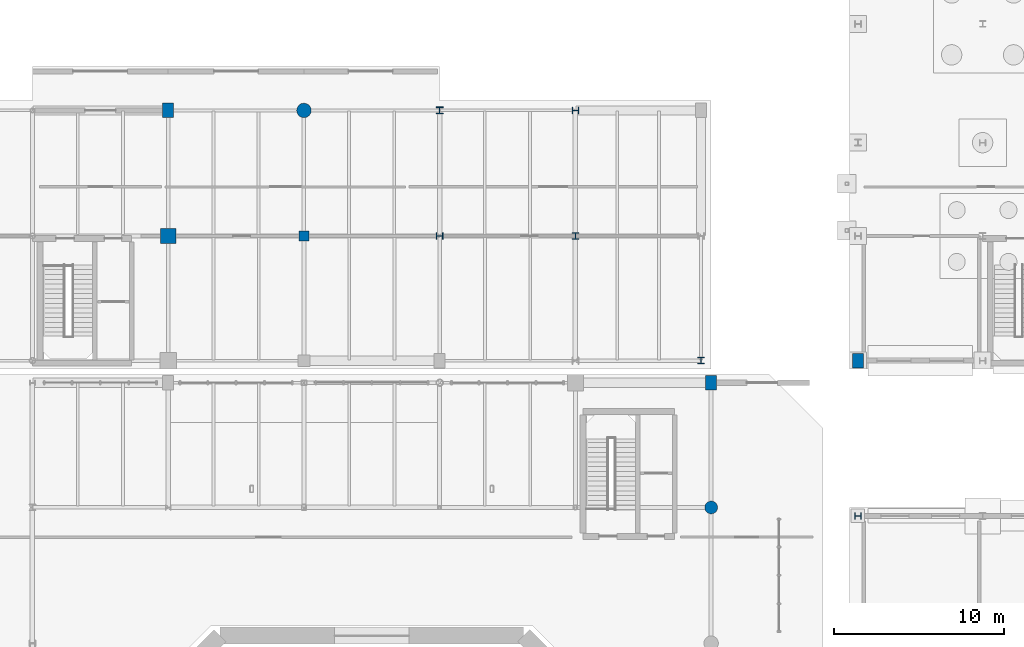
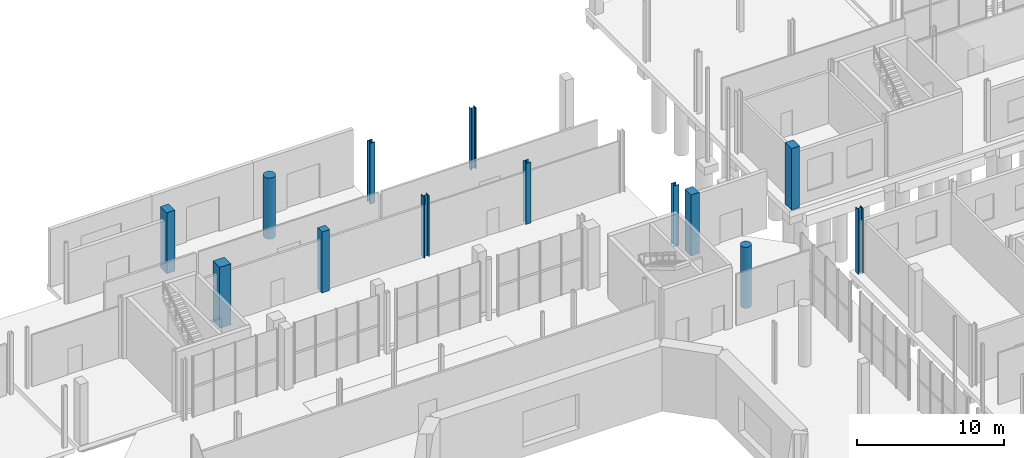
# One storey, part 23 of 87: 13 columns.
"""IFC4 building model written with IfcOpenShell, lengths in metres."""

from ifc_helpers import new_model, si_unit, direction, frame, origin, origin_2d, place, context, subcontext, project, spatial, rectangle, circle, i_section, extrude, material, material_profile, profile_set, type_object, element, save


model = new_model("IFC4")

# Units and contexts
model_context = context("Model", 3, precision=1e-05, world=origin(), true_north=direction((0.0, 1.0)))
body_context = subcontext(model_context, "Body", "Model", "MODEL_VIEW")
ifc_project = project(units=[si_unit("LENGTHUNIT", "METRE"), si_unit("AREAUNIT", "SQUARE_METRE"), si_unit("VOLUMEUNIT", "CUBIC_METRE"), si_unit("PLANEANGLEUNIT", "RADIAN"), si_unit("MASSUNIT", "GRAM", prefix="KILO")], contexts=[model_context])

# Site, building, storey
site_placement = place(None, origin())
site = spatial("IfcSite", under=ifc_project, at=site_placement, CompositionType="ELEMENT")
building_placement = place(site_placement, origin())
building = spatial("IfcBuilding", under=site, at=building_placement, Name="Brisemont Oceanarium", CompositionType="ELEMENT")
storey_placement = place(building_placement, origin())
storey = spatial("IfcBuildingStorey", under=building, at=storey_placement, Name="L00", CompositionType="ELEMENT", Elevation=0.0)

# Columns
ifc_material_1 = material(Name="Concrete C35/45", Category="concrete")
ifc_material_profile_1 = material_profile(ifc_material_1, rectangle(XDim=0.60009765625, YDim=0.60009765625, at=origin_2d()), Name="RC-COL-600X600")
ifc_profile_set_1 = profile_set([ifc_material_profile_1], Name="Concrete C35/45")
column_type_1 = type_object("IfcColumnType", Name="COL-RC600", PredefinedType="COLUMN", material=ifc_profile_set_1)
column_1_placement = place(storey_placement, frame((80.0, 88.0, 0.0), z_axis=(0.0, 0.0, 1.0), x_axis=(1.0, 0.0, 0.0)))
element("IfcColumn", 1, at=column_1_placement, inside=storey, type_object=column_type_1, Name="V7E L00 column (3,1)", PredefinedType="COLUMN", context=body_context, shape_type="SweptSolid", body=[
    extrude(rectangle(XDim=0.60009765625, YDim=0.60009765625, at=origin_2d()), origin(), (0.0, 0.0, 1.0), 5.080078125),
])
ifc_material_2 = material(Name="Concrete C40/50", Category="concrete")
ifc_material_profile_2 = material_profile(ifc_material_2, rectangle(XDim=0.89990234375, YDim=0.89990234375, at=origin_2d()), Name="RC-COL-900X900")
ifc_profile_set_2 = profile_set([ifc_material_profile_2], Name="Concrete C40/50")
column_type_2 = type_object("IfcColumnType", Name="COL-RC900", PredefinedType="COLUMN", material=ifc_profile_set_2)
column_2_placement = place(storey_placement, frame((72.0, 88.0, 0.0), z_axis=(0.0, 0.0, 1.0), x_axis=(0.0, 1.0, 0.0)))
element("IfcColumn", 2, at=column_2_placement, inside=storey, type_object=column_type_2, Name="V7E L00 column (2,1)", PredefinedType="COLUMN", context=body_context, shape_type="SweptSolid", body=[
    extrude(rectangle(XDim=0.89990234375, YDim=0.89990234375, at=origin_2d()), origin(), (0.0, 0.0, 1.0), 5.080078125),
])
ifc_material_3 = material(Name="Concrete C40/50", Category="concrete")
ifc_material_profile_3 = material_profile(ifc_material_3, circle(Radius=0.375, at=origin_2d()), Name="RC-COL-D750")
ifc_profile_set_3 = profile_set([ifc_material_profile_3], Name="Concrete C40/50")
column_type_3 = type_object("IfcColumnType", Name="COL-RCD750", PredefinedType="COLUMN", material=ifc_profile_set_3)
column_3_placement = place(storey_placement, frame((104.0, 72.0, 0.0), z_axis=(0.0, 0.0, 1.0), x_axis=(0.0, 1.0, 0.0)))
element("IfcColumn", 3, at=column_3_placement, inside=storey, type_object=column_type_3, Name="V1 L00 column (6,5)", PredefinedType="COLUMN", context=body_context, shape_type="SweptSolid", body=[
    extrude(circle(Radius=0.375, at=origin_2d()), origin(), (0.0, 0.0, 1.0), 5.080078125),
])
ifc_material_4 = material(Name="Concrete C40/50", Category="concrete")
ifc_material_profile_4 = material_profile(ifc_material_4, circle(Radius=0.425048828125, at=origin_2d()), Name="RC-COL-D850")
ifc_profile_set_4 = profile_set([ifc_material_profile_4], Name="Concrete C40/50")
column_type_4 = type_object("IfcColumnType", Name="COL-RCD850", PredefinedType="COLUMN", material=ifc_profile_set_4)
column_4_placement = place(storey_placement, frame((80.0, 95.39990234375, 0.0), z_axis=(0.0, 0.0, 1.0), x_axis=(0.0, 1.0, 0.0)))
element("IfcColumn", 4, at=column_4_placement, inside=storey, type_object=column_type_4, Name="V7E L00 column (3,2)", PredefinedType="COLUMN", context=body_context, shape_type="SweptSolid", body=[
    extrude(circle(Radius=0.425048828125, at=origin_2d()), origin(), (0.0, 0.0, 1.0), 5.080078125),
])
ifc_material_5 = material(Name="Structural Steel ASTM A992 Gr.50", Category="steel")
ifc_material_profile_5 = material_profile(ifc_material_5, i_section(OverallWidth=0.39501953125, OverallDepth=0.3798828125, WebThickness=0.018798828125, FlangeThickness=0.0302734375, FilletRadius=0.014892578125, at=origin_2d()), Name="W14X159")
ifc_profile_set_5 = profile_set([ifc_material_profile_5], Name="Structural Steel ASTM A992 Gr.50")
column_type_5 = type_object("IfcColumnType", Name="COL-W14X159", PredefinedType="COLUMN", material=ifc_profile_set_5)
column_5_placement = place(storey_placement, frame((103.39990234375, 80.64990234375, 0.0), z_axis=(0.0, 0.0, 1.0), x_axis=(1.0, 0.0, 0.0)))
element("IfcColumn", 5, at=column_5_placement, inside=storey, type_object=column_type_5, Name="V7E L00 column (6,0)", PredefinedType="COLUMN", context=body_context, shape_type="SweptSolid", body=[
    extrude(i_section(OverallWidth=0.39501953125, OverallDepth=0.3798828125, WebThickness=0.018798828125, FlangeThickness=0.0302734375, FilletRadius=0.014892578125, at=origin_2d()), origin(), (0.0, 0.0, 1.0), 5.080078125),
])
ifc_material_6 = material(Name="Structural Steel ASTM A992 Gr.50", Category="steel")
ifc_material_profile_6 = material_profile(ifc_material_6, i_section(OverallWidth=0.39892578125, OverallDepth=0.385986328125, WebThickness=0.02099609375, FlangeThickness=0.033203125, FilletRadius=0.014892578125, at=origin_2d()), Name="W14X176")
ifc_profile_set_6 = profile_set([ifc_material_profile_6], Name="Structural Steel ASTM A992 Gr.50")
column_type_6 = type_object("IfcColumnType", Name="COL-W14X176", PredefinedType="COLUMN", material=ifc_profile_set_6)
column_6_placement = place(storey_placement, frame((96.0, 95.39990234375, 0.0), z_axis=(0.0, 0.0, 1.0), x_axis=(0.0, 1.0, 0.0)))
element("IfcColumn", 6, at=column_6_placement, inside=storey, type_object=column_type_6, Name="V7E L00 column (5,2)", PredefinedType="COLUMN", context=body_context, shape_type="SweptSolid", body=[
    extrude(i_section(OverallWidth=0.39892578125, OverallDepth=0.385986328125, WebThickness=0.02099609375, FlangeThickness=0.033203125, FilletRadius=0.014892578125, at=origin_2d()), origin(), (0.0, 0.0, 1.0), 5.080078125),
])
ifc_material_7 = material(Name="Structural Steel ASTM A992 Gr.50", Category="steel")
ifc_material_profile_7 = material_profile(ifc_material_7, i_section(OverallWidth=0.39990234375, OverallDepth=0.39306640625, WebThickness=0.022705078125, FlangeThickness=0.03662109375, FilletRadius=0.014892578125, at=origin_2d()), Name="W14X193")
ifc_profile_set_7 = profile_set([ifc_material_profile_7], Name="Structural Steel ASTM A992 Gr.50")
column_type_7 = type_object("IfcColumnType", Name="COL-W14X193", PredefinedType="COLUMN", material=ifc_profile_set_7)
column_7_placement = place(storey_placement, frame((112.64990234375, 71.5, 0.0), z_axis=(0.0, 0.0, 1.0), x_axis=(0.0, 1.0, 0.0)))
element("IfcColumn", 7, at=column_7_placement, inside=storey, type_object=column_type_7, Name="V5E L00 column (0,5)", PredefinedType="COLUMN", context=body_context, shape_type="SweptSolid", body=[
    extrude(i_section(OverallWidth=0.39990234375, OverallDepth=0.39306640625, WebThickness=0.022705078125, FlangeThickness=0.03662109375, FilletRadius=0.014892578125, at=origin_2d()), origin(), (0.0, 0.0, 1.0), 5.39990234375),
])
column_8_placement = place(storey_placement, frame((96.0, 88.0, 0.0), z_axis=(0.0, 0.0, 1.0), x_axis=(1.0, 0.0, 0.0)))
element("IfcColumn", 8, at=column_8_placement, inside=storey, type_object=column_type_7, Name="V7E L00 column (5,1)", PredefinedType="COLUMN", context=body_context, shape_type="SweptSolid", body=[
    extrude(i_section(OverallWidth=0.39990234375, OverallDepth=0.39306640625, WebThickness=0.022705078125, FlangeThickness=0.03662109375, FilletRadius=0.014892578125, at=origin_2d()), origin(), (0.0, 0.0, 1.0), 5.080078125),
])
ifc_material_8 = material(Name="Structural Steel ASTM A992 Gr.50", Category="steel")
ifc_material_profile_8 = material_profile(ifc_material_8, i_section(OverallWidth=0.404052734375, OverallDepth=0.406982421875, WebThickness=0.027099609375, FlangeThickness=0.043701171875, FilletRadius=0.014892578125, at=origin_2d()), Name="W14X233")
ifc_profile_set_8 = profile_set([ifc_material_profile_8], Name="Structural Steel ASTM A992 Gr.50")
column_type_8 = type_object("IfcColumnType", Name="COL-W14X233", PredefinedType="COLUMN", material=ifc_profile_set_8)
column_9_placement = place(storey_placement, frame((88.0, 95.39990234375, 0.0), z_axis=(0.0, 0.0, 1.0), x_axis=(1.0, 0.0, 0.0)))
element("IfcColumn", 9, at=column_9_placement, inside=storey, type_object=column_type_8, Name="V7E L00 column (4,2)", PredefinedType="COLUMN", context=body_context, shape_type="SweptSolid", body=[
    extrude(i_section(OverallWidth=0.404052734375, OverallDepth=0.406982421875, WebThickness=0.027099609375, FlangeThickness=0.043701171875, FilletRadius=0.014892578125, at=origin_2d()), origin(), (0.0, 0.0, 1.0), 5.080078125),
])
ifc_material_9 = material(Name="Structural Steel ASTM A992 Gr.50", Category="steel")
ifc_material_profile_9 = material_profile(ifc_material_9, i_section(OverallWidth=0.406005859375, OverallDepth=0.416015625, WebThickness=0.02978515625, FlangeThickness=0.048095703125, FilletRadius=0.014892578125, at=origin_2d()), Name="W14X257")
ifc_profile_set_9 = profile_set([ifc_material_profile_9], Name="Structural Steel ASTM A992 Gr.50")
column_type_9 = type_object("IfcColumnType", Name="COL-W14X257", PredefinedType="COLUMN", material=ifc_profile_set_9)
column_10_placement = place(storey_placement, frame((88.0, 88.0, 0.0), z_axis=(0.0, 0.0, 1.0), x_axis=(0.0, 1.0, 0.0)))
element("IfcColumn", 10, at=column_10_placement, inside=storey, type_object=column_type_9, Name="V7E L00 column (4,1)", PredefinedType="COLUMN", context=body_context, shape_type="SweptSolid", body=[
    extrude(i_section(OverallWidth=0.406005859375, OverallDepth=0.416015625, WebThickness=0.02978515625, FlangeThickness=0.048095703125, FilletRadius=0.014892578125, at=origin_2d()), origin(), (0.0, 0.0, 1.0), 5.080078125),
])
ifc_material_10 = material(Name="Precast Concrete C40/50", Category="concrete")
ifc_material_profile_10 = material_profile(ifc_material_10, rectangle(XDim=0.64990234375, YDim=0.85009765625, at=origin_2d()), Name="RC-PIL-650X850")
ifc_profile_set_10 = profile_set([ifc_material_profile_10], Name="Precast Concrete C40/50")
column_type_10 = type_object("IfcColumnType", Name="PIL-RC650X850", PredefinedType="PILASTER", material=ifc_profile_set_10)
for number, where, z_axis, x_axis, name in (
    (11, (104.0, 79.35009765625, 0.0), (0.0, 0.0, 1.0), (1.0, 0.0, 0.0), "V1 L00 column (6,6)"),
    (12, (72.0, 95.39990234375, 0.0), (0.0, 0.0, 1.0), (1.0, 0.0, 0.0), "V7E L00 column (2,2)"),
):
    element("IfcColumn", number, at=place(storey_placement, frame(where, z_axis=z_axis, x_axis=x_axis)), inside=storey, type_object=column_type_10, Name=name, PredefinedType="PILASTER", context=body_context, shape_type="SweptSolid", body=[
        extrude(rectangle(XDim=0.64990234375, YDim=0.85009765625, at=origin_2d()), origin(), (0.0, 0.0, 1.0), 5.080078125),
    ])
column_11_placement = place(storey_placement, frame((112.64990234375, 80.64990234375, 0.0), z_axis=(0.0, 0.0, 1.0), x_axis=(1.0, 0.0, 0.0)))
element("IfcColumn", 13, at=column_11_placement, inside=storey, type_object=column_type_10, Name="V6 L00 column (0,0)", PredefinedType="PILASTER", context=body_context, shape_type="SweptSolid", body=[
    extrude(rectangle(XDim=0.64990234375, YDim=0.85009765625, at=origin_2d()), origin(), (0.0, 0.0, 1.0), 5.1201171875),
])

save(model, "model.ifc")
